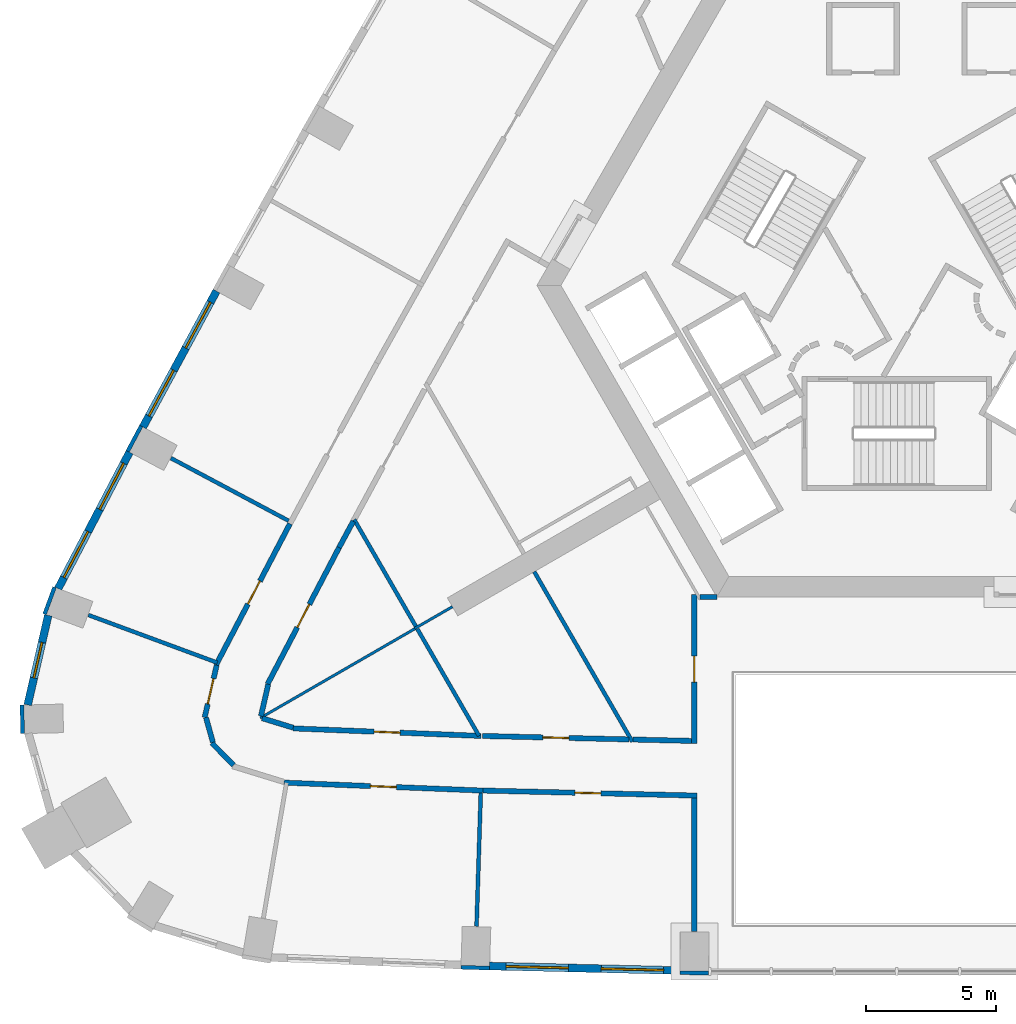
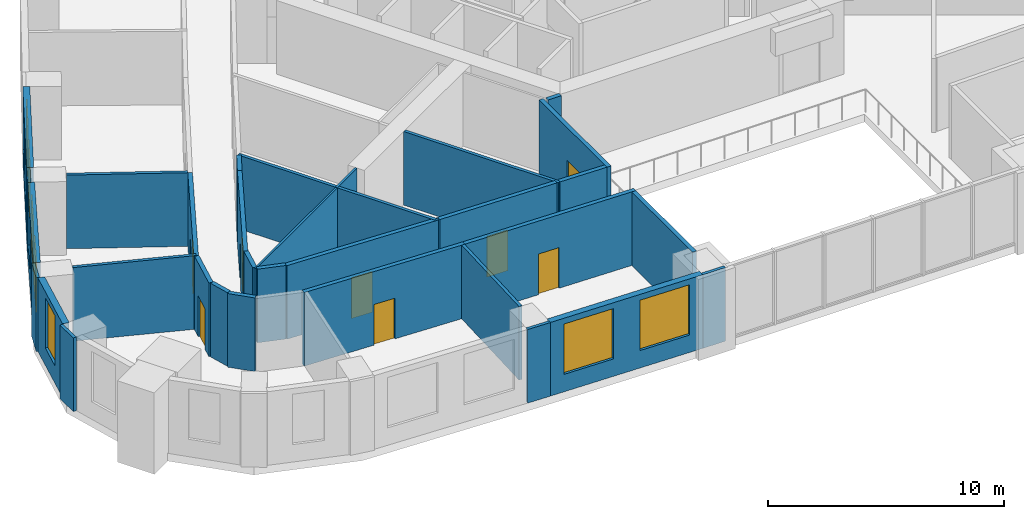
# One storey, part 4 of 12: 33 walls, 8 doors, 7 windows, 15 openings.
"""IFC4 building model written with IfcOpenShell, lengths in metres."""

from ifc_helpers import new_model, si_unit, direction, frame, frame_2d, origin, place, context, subcontext, project, spatial, rectangle, extrude, material, layer, layer_set, type_object, element, fill, save


model = new_model("IFC4")

# Units and contexts
model_context = context("Model", 3, precision=1e-05, world=origin(), true_north=direction((0.0, 1.0)))
body_context = subcontext(model_context, "Body", "Model", "MODEL_VIEW")
ifc_project = project(units=[si_unit("LENGTHUNIT", "METRE"), si_unit("AREAUNIT", "SQUARE_METRE"), si_unit("VOLUMEUNIT", "CUBIC_METRE"), si_unit("PLANEANGLEUNIT", "RADIAN"), si_unit("MASSUNIT", "GRAM", prefix="KILO")], contexts=[model_context])

# Site, building, storey
site_placement = place(None, origin())
site = spatial("IfcSite", under=ifc_project, at=site_placement, CompositionType="ELEMENT")
building_placement = place(site_placement, origin())
building = spatial("IfcBuilding", under=site, at=building_placement, Name="Entoto Arch Interchange Tower", CompositionType="ELEMENT")
storey_placement = place(building_placement, frame((0.0, 0.0, 142.39990234375)))
storey = spatial("IfcBuildingStorey", under=building, at=storey_placement, Name="L31", CompositionType="ELEMENT", Elevation=142.39990234375)

# Walls
ifc_material_1 = material(Name="Gypsum board partition on steel studs", Category="steel")
ifc_layer_1 = layer(ifc_material_1, 0.10009765625)
ifc_layer_set_1 = layer_set([ifc_layer_1], Name="Gypsum board partition on steel studs")
wall_type_1 = type_object("IfcWallType", Name="PARTITION 100", PredefinedType="PARTITIONING", material=ifc_layer_set_1)
wall_1_placement = place(storey_placement, frame((-17.10791015625, -9.868896484375, 0.0), z_axis=(0.0, 0.0, 1.0), x_axis=(-0.866054481515, -0.499949632511, 0.0)))
element("IfcWall", 1, at=wall_1_placement, inside=storey, type_object=wall_type_1, Name="wall:L31:p119", PredefinedType="PARTITIONING", context=body_context, shape_type="SweptSolid", body=[
    extrude(rectangle(XDim=1.674560546875, YDim=0.10009765625, at=frame_2d((0.83740234375, 0.0))), origin(), (0.0, 0.0, 1.0), 3.800048828125),
])
wall_2_placement = place(storey_placement, frame((-18.552978515625, -10.715087890625, 0.0), z_axis=(0.0, 0.0, 1.0), x_axis=(-0.865984622623, -0.500070628392, 0.0)))
element("IfcWall", 2, at=wall_2_placement, inside=storey, type_object=wall_type_1, Name="wall:L31:p122", PredefinedType="PARTITIONING", context=body_context, shape_type="SweptSolid", body=[
    extrude(rectangle(XDim=6.87890625, YDim=0.10009765625, at=frame_2d((3.439453125, 0.0))), origin(), (0.0, 0.0, 1.0), 3.800048828125),
])
ifc_layer_2 = layer(ifc_material_1, 0.14990234375)
ifc_layer_set_2 = layer_set([ifc_layer_2], Name="Gypsum board partition on steel studs")
wall_type_2 = type_object("IfcWallType", Name="PARTITION 150", PredefinedType="PARTITIONING", material=ifc_layer_set_2)
wall_3_placement = place(storey_placement, frame((-10.179931640625, -15.068115234375, 0.0), z_axis=(0.0, 0.0, 1.0), x_axis=(-0.499907901386, 0.866078570415, 0.0)))
element("IfcWall", 3, at=wall_3_placement, inside=storey, type_object=wall_type_2, Name="wall:L31:p118", PredefinedType="PARTITIONING", context=body_context, shape_type="SweptSolid", body=[
    extrude(rectangle(XDim=7.5595703125, YDim=0.14990234375, at=frame_2d((3.77978515625, 0.0))), origin(), (0.0, 0.0, 1.0), 3.800048828125),
])
wall_4_placement = place(storey_placement, frame((-18.51806640625, -10.625, 0.0), z_axis=(0.0, 0.0, 1.0), x_axis=(-0.50001189137, 0.86601853819, 0.0)))
element("IfcWall", 4, at=wall_4_placement, inside=storey, type_object=wall_type_2, Name="wall:L31:p120", PredefinedType="PARTITIONING", context=body_context, shape_type="SweptSolid", body=[
    extrude(rectangle(XDim=4.74609375, YDim=0.14990234375, at=frame_2d((2.373046875, 0.0))), origin(), (0.0, 0.0, 1.0), 3.800048828125),
])
wall_5_placement = place(storey_placement, frame((-16.083984375, -14.841064453125, 0.0), z_axis=(0.0, 0.0, 1.0), x_axis=(-0.50002451059, 0.866011252126, 0.0)))
element("IfcWall", 5, at=wall_5_placement, inside=storey, type_object=wall_type_2, Name="wall:L31:p121", PredefinedType="PARTITIONING", context=body_context, shape_type="SweptSolid", body=[
    extrude(rectangle(XDim=4.757568359375, YDim=0.14990234375, at=frame_2d((2.37890625, 0.0))), origin(), (0.0, 0.0, 1.0), 3.800048828125),
])
wall_6_placement = place(storey_placement, frame((-23.4169921875, -6.56005859375, 0.0), z_axis=(0.0, 0.0, 1.0), x_axis=(-0.882784638588, 0.469777906967, 0.0)))
element("IfcWall", 6, at=wall_6_placement, inside=storey, type_object=wall_type_2, Name="wall:L31:p136", PredefinedType="PARTITIONING", context=body_context, shape_type="SweptSolid", body=[
    extrude(rectangle(XDim=5.13037109375, YDim=0.14990234375, at=frame_2d((2.565185546875, 0.0))), origin(), (0.0, 0.0, 1.0), 3.800048828125),
])
wall_7_placement = place(storey_placement, frame((-26.1640625, -12.02294921875, 0.0), z_axis=(0.0, 0.0, 1.0), x_axis=(-0.937995804261, 0.346646608505, 0.0)))
element("IfcWall", 7, at=wall_7_placement, inside=storey, type_object=wall_type_2, Name="wall:L31:p137", PredefinedType="PARTITIONING", context=body_context, shape_type="SweptSolid", body=[
    extrude(rectangle(XDim=5.287841796875, YDim=0.14990234375, at=frame_2d((2.64404296875, 0.0))), origin(), (0.0, 0.0, 1.0), 3.800048828125),
])
wall_8_placement = place(storey_placement, frame((-16.01806640625, -17.044921875, 0.0), z_axis=(0.0, 0.0, 1.0), x_axis=(-0.031744385759, -0.999496019988, 0.0)))
element("IfcWall", 8, at=wall_8_placement, inside=storey, type_object=wall_type_2, Name="wall:L31:p139", PredefinedType="PARTITIONING", context=body_context, shape_type="SweptSolid", body=[
    extrude(rectangle(XDim=5.1298828125, YDim=0.14990234375, at=frame_2d((2.56494140625, 0.0))), origin(), (0.0, 0.0, 1.0), 3.800048828125),
])
ifc_layer_3 = layer(ifc_material_1, 0.199951171875)
ifc_layer_set_3 = layer_set([ifc_layer_3], Name="Gypsum board partition on steel studs")
wall_type_3 = type_object("IfcWallType", Name="PARTITION 200", PredefinedType="PARTITIONING", material=ifc_layer_set_3)
wall_9_placement = place(storey_placement, frame((-10.155029296875, -14.98291015625, 0.0), z_axis=(0.0, 0.0, 1.0), x_axis=(0.999724165956, -0.023485995887, 0.0)))
element("IfcWall", 9, at=wall_9_placement, inside=storey, type_object=wall_type_3, Name="wall:L31:p024", PredefinedType="PARTITIONING", context=body_context, shape_type="SweptSolid", body=[
    extrude(rectangle(XDim=2.255859375, YDim=0.199951171875, at=frame_2d((1.1279296875, 0.0))), origin(), (0.0, 0.0, 1.0), 3.800048828125),
])

# Wall, opening, door
wall_10_placement = place(storey_placement, frame((-15.947998046875, -14.845947265625, 0.0), z_axis=(0.0, 0.0, 1.0), x_axis=(0.999722136341, -0.023572231734, 0.0)))
wall_10 = element("IfcWall", 10, at=wall_10_placement, inside=storey, type_object=wall_type_3, Name="wall:L31:p026", PredefinedType="PARTITIONING", context=body_context, shape_type="SweptSolid", body=[
    extrude(rectangle(XDim=5.64453125, YDim=0.199951171875, at=frame_2d((2.822265625, 0.0))), origin(), (0.0, 0.0, 1.0), 3.800048828125),
])
opening_1_placement = place(wall_10_placement, frame((2.322021484375, 0.0, 0.0)))
opening_1 = element("IfcOpeningElement", 11, at=opening_1_placement, cuts=wall_10, Name="Opening L31-D27", PredefinedType="OPENING", context=body_context, shape_type="SweptSolid", body=[
    extrude(rectangle(XDim=1.0, YDim=2.10009765625, at=frame_2d((0.5, 1.050048828125))), frame((0.0, 0.10986328125, 0.0), z_axis=(0.0, -1.0, 0.0), x_axis=(1.0, 0.0, 0.0)), (0.0, 0.0, 1.0), 0.219970703125),
])
ifc_material_2 = material(Name="Timber door leaf in Steel S235 frame", Category="steel")
door_type = type_object("IfcDoorType", Name="DOOR DS-10 1000x2100", OperationType="SINGLE_SWING_LEFT", PredefinedType="DOOR", material=ifc_material_2)
door_1_placement = place(opening_1_placement, origin())
door_1 = element("IfcDoor", 12, at=door_1_placement, inside=storey, type_object=door_type, Name="door:L31:27", OperationType="SINGLE_SWING_LEFT", OverallHeight=2.10009765625, OverallWidth=1.0, PredefinedType="DOOR", context=body_context, shape_type="SweptSolid", body=[
    extrude(rectangle(XDim=1.0, YDim=2.10009765625, at=frame_2d((0.5, 1.050048828125))), frame((0.0, 0.02490234375, 0.0), z_axis=(0.0, -1.0, 0.0), x_axis=(1.0, 0.0, 0.0)), (0.0, 0.0, 1.0), 0.050048828125),
])
fill(opening_1, door_1)

wall_11_placement = place(storey_placement, frame((-21.47509765625, -7.593994140625, 0.0), z_axis=(0.0, 0.0, 1.0), x_axis=(-0.463809970306, -0.885934710599, 0.0)))
wall_11 = element("IfcWall", 13, at=wall_11_placement, inside=storey, type_object=wall_type_3, Name="wall:L31:p027", PredefinedType="PARTITIONING", context=body_context, shape_type="SweptSolid", body=[
    extrude(rectangle(XDim=5.927001953125, YDim=0.199951171875, at=frame_2d((2.96337890625, 0.0))), origin(), (0.0, 0.0, 1.0), 3.800048828125),
])
opening_2_placement = place(wall_11_placement, frame((2.464111328125, 0.0, 0.0)))
opening_2 = element("IfcOpeningElement", 14, at=opening_2_placement, cuts=wall_11, Name="Opening L31-D28", PredefinedType="OPENING", context=body_context, shape_type="SweptSolid", body=[
    extrude(rectangle(XDim=1.0, YDim=2.10009765625, at=frame_2d((0.5, 1.050048828125))), frame((0.0, 0.10986328125, 0.0), z_axis=(0.0, -1.0, 0.0), x_axis=(1.0, 0.0, 0.0)), (0.0, 0.0, 1.0), 0.219970703125),
])
door_2_placement = place(opening_2_placement, origin())
door_2 = element("IfcDoor", 15, at=door_2_placement, inside=storey, type_object=door_type, Name="door:L31:28", OperationType="SINGLE_SWING_LEFT", OverallHeight=2.10009765625, OverallWidth=1.0, PredefinedType="DOOR", context=body_context, shape_type="SweptSolid", body=[
    extrude(rectangle(XDim=1.0, YDim=2.10009765625, at=frame_2d((0.5, 1.050048828125))), frame((0.0, 0.02490234375, 0.0), z_axis=(0.0, -1.0, 0.0), x_axis=(1.0, 0.0, 0.0)), (0.0, 0.0, 1.0), 0.050048828125),
])
fill(opening_2, door_2)

# Walls
wall_12_placement = place(storey_placement, frame((-24.199951171875, -12.85400390625, 0.0), z_axis=(0.0, 0.0, 1.0), x_axis=(-0.223967203961, -0.974596681479, 0.0)))
element("IfcWall", 16, at=wall_12_placement, inside=storey, type_object=wall_type_3, Name="wall:L31:p028", PredefinedType="PARTITIONING", context=body_context, shape_type="SweptSolid", body=[
    extrude(rectangle(XDim=1.259033203125, YDim=0.199951171875, at=frame_2d((0.62939453125, 0.0))), origin(), (0.0, 0.0, 1.0), 3.800048828125),
])
wall_13_placement = place(storey_placement, frame((-20.927001953125, -6.5810546875, 0.0), z_axis=(0.0, 0.0, 1.0), x_axis=(-0.475893856394, -0.879502721682, 0.0)))
element("IfcWall", 17, at=wall_13_placement, inside=storey, type_object=wall_type_3, Name="wall:L31:p029", PredefinedType="PARTITIONING", context=body_context, shape_type="SweptSolid", body=[
    extrude(rectangle(XDim=1.151611328125, YDim=0.199951171875, at=frame_2d((0.57568359375, 0.0))), origin(), (0.0, 0.0, 1.0), 3.800048828125),
])
wall_14_placement = place(storey_placement, frame((-24.43505859375, -14.162109375, 0.0), z_axis=(0.0, 0.0, 1.0), x_axis=(0.956086269468, -0.293085389152, 0.0)))
element("IfcWall", 18, at=wall_14_placement, inside=storey, type_object=wall_type_3, Name="wall:L31:p030", PredefinedType="PARTITIONING", context=body_context, shape_type="SweptSolid", body=[
    extrude(rectangle(XDim=1.251953125, YDim=0.199951171875, at=frame_2d((0.6259765625, 0.0))), origin(), (0.0, 0.0, 1.0), 3.800048828125),
])

# Wall, opening, door
wall_15_placement = place(storey_placement, frame((-23.241943359375, -14.554931640625, 0.0), z_axis=(0.0, 0.0, 1.0), x_axis=(0.999202143743, -0.039938401802, 0.0)))
wall_15 = element("IfcWall", 19, at=wall_15_placement, inside=storey, type_object=wall_type_3, Name="wall:L31:p031", PredefinedType="PARTITIONING", context=body_context, shape_type="SweptSolid", body=[
    extrude(rectangle(XDim=7.23779296875, YDim=0.199951171875, at=frame_2d((3.618896484375, 0.0))), origin(), (0.0, 0.0, 1.0), 3.800048828125),
])
opening_3_placement = place(wall_15_placement, frame((3.118896484375, 0.0, 0.0)))
opening_3 = element("IfcOpeningElement", 20, at=opening_3_placement, cuts=wall_15, Name="Opening L31-D29", PredefinedType="OPENING", context=body_context, shape_type="SweptSolid", body=[
    extrude(rectangle(XDim=1.0, YDim=2.10009765625, at=frame_2d((0.5, 1.050048828125))), frame((0.0, 0.10986328125, 0.0), z_axis=(0.0, -1.0, 0.0), x_axis=(1.0, 0.0, 0.0)), (0.0, 0.0, 1.0), 0.219970703125),
])
door_3_placement = place(opening_3_placement, origin())
door_3 = element("IfcDoor", 21, at=door_3_placement, inside=storey, type_object=door_type, Name="door:L31:29", OperationType="SINGLE_SWING_LEFT", OverallHeight=2.10009765625, OverallWidth=1.0, PredefinedType="DOOR", context=body_context, shape_type="SweptSolid", body=[
    extrude(rectangle(XDim=1.0, YDim=2.10009765625, at=frame_2d((0.5, 1.050048828125))), frame((0.0, 0.02490234375, 0.0), z_axis=(0.0, -1.0, 0.0), x_axis=(1.0, 0.0, 0.0)), (0.0, 0.0, 1.0), 0.050048828125),
])
fill(opening_3, door_3)

wall_16_placement = place(storey_placement, frame((-26.2099609375, -12.111083984375, 0.0), z_axis=(0.0, 0.0, 1.0), x_axis=(0.46374980173, 0.885966207818, 0.0)))
wall_16 = element("IfcWall", 22, at=wall_16_placement, inside=storey, type_object=wall_type_3, Name="wall:L31:p059", PredefinedType="PARTITIONING", context=body_context, shape_type="SweptSolid", body=[
    extrude(rectangle(XDim=6.13671875, YDim=0.199951171875, at=frame_2d((3.068359375, 0.0))), origin(), (0.0, 0.0, 1.0), 3.800048828125),
])
opening_4_placement = place(wall_16_placement, frame((2.64404296875, 0.0, 0.0)))
opening_4 = element("IfcOpeningElement", 23, at=opening_4_placement, cuts=wall_16, Name="Opening L31-D15", PredefinedType="OPENING", context=body_context, shape_type="SweptSolid", body=[
    extrude(rectangle(XDim=1.0, YDim=2.10009765625, at=frame_2d((0.5, 1.050048828125))), frame((0.0, 0.10986328125, 0.0), z_axis=(0.0, -1.0, 0.0), x_axis=(1.0, 0.0, 0.0)), (0.0, 0.0, 1.0), 0.219970703125),
])
door_4_placement = place(opening_4_placement, origin())
door_4 = element("IfcDoor", 24, at=door_4_placement, inside=storey, type_object=door_type, Name="door:L31:15", OperationType="SINGLE_SWING_LEFT", OverallHeight=2.10009765625, OverallWidth=1.0, PredefinedType="DOOR", context=body_context, shape_type="SweptSolid", body=[
    extrude(rectangle(XDim=1.0, YDim=2.10009765625, at=frame_2d((0.5, 1.050048828125))), frame((0.0, 0.02490234375, 0.0), z_axis=(0.0, -1.0, 0.0), x_axis=(1.0, 0.0, 0.0)), (0.0, 0.0, 1.0), 0.050048828125),
])
fill(opening_4, door_4)

# Walls
wall_17_placement = place(storey_placement, frame((-25.5380859375, -15.969970703125, 0.0), z_axis=(0.0, 0.0, 1.0), x_axis=(-0.698272822523, 0.715831729756, 0.0)))
element("IfcWall", 25, at=wall_17_placement, inside=storey, type_object=wall_type_3, Name="wall:L31:p061", PredefinedType="PARTITIONING", context=body_context, shape_type="SweptSolid", body=[
    extrude(rectangle(XDim=1.19580078125, YDim=0.199951171875, at=frame_2d((0.597900390625, 0.0))), origin(), (0.0, 0.0, 1.0), 3.800048828125),
])
wall_18_placement = place(storey_placement, frame((-26.330078125, -15.089111328125, 0.0), z_axis=(0.0, 0.0, 1.0), x_axis=(-0.270631784819, 0.962682936925, 0.0)))
element("IfcWall", 26, at=wall_18_placement, inside=storey, type_object=wall_type_3, Name="wall:L31:p062", PredefinedType="PARTITIONING", context=body_context, shape_type="SweptSolid", body=[
    extrude(rectangle(XDim=0.994140625, YDim=0.199951171875, at=frame_2d((0.4970703125, 0.0))), origin(), (0.0, 0.0, 1.0), 3.800048828125),
])

# Wall, opening, door
wall_19_placement = place(storey_placement, frame((-26.64892578125, -14.133056640625, 0.0), z_axis=(0.0, 0.0, 1.0), x_axis=(0.224108401048, 0.974564222912, 0.0)))
wall_19 = element("IfcWall", 27, at=wall_19_placement, inside=storey, type_object=wall_type_3, Name="wall:L31:p063", PredefinedType="PARTITIONING", context=body_context, shape_type="SweptSolid", body=[
    extrude(rectangle(XDim=2.0654296875, YDim=0.199951171875, at=frame_2d((1.03271484375, 0.0))), origin(), (0.0, 0.0, 1.0), 3.800048828125),
])
opening_5_placement = place(wall_19_placement, frame((0.532958984375, 0.0, 0.0)))
opening_5 = element("IfcOpeningElement", 28, at=opening_5_placement, cuts=wall_19, Name="Opening L31-D16", PredefinedType="OPENING", context=body_context, shape_type="SweptSolid", body=[
    extrude(rectangle(XDim=1.0, YDim=2.10009765625, at=frame_2d((0.5, 1.050048828125))), frame((0.0, 0.10986328125, 0.0), z_axis=(0.0, -1.0, 0.0), x_axis=(1.0, 0.0, 0.0)), (0.0, 0.0, 1.0), 0.219970703125),
])
door_5_placement = place(opening_5_placement, origin())
door_5 = element("IfcDoor", 29, at=door_5_placement, inside=storey, type_object=door_type, Name="door:L31:16", OperationType="SINGLE_SWING_LEFT", OverallHeight=2.10009765625, OverallWidth=1.0, PredefinedType="DOOR", context=body_context, shape_type="SweptSolid", body=[
    extrude(rectangle(XDim=1.0, YDim=2.10009765625, at=frame_2d((0.5, 1.050048828125))), frame((0.0, 0.02490234375, 0.0), z_axis=(0.0, -1.0, 0.0), x_axis=(1.0, 0.0, 0.0)), (0.0, 0.0, 1.0), 0.050048828125),
])
fill(opening_5, door_5)

wall_20_placement = place(storey_placement, frame((-15.93994140625, -16.947998046875, 0.0), z_axis=(0.0, 0.0, 1.0), x_axis=(-0.999203094545, 0.03991460699, 0.0)))
wall_20 = element("IfcWall", 30, at=wall_20_placement, inside=storey, type_object=wall_type_3, Name="wall:L31:p064", PredefinedType="PARTITIONING", context=body_context, shape_type="SweptSolid", body=[
    extrude(rectangle(XDim=7.6640625, YDim=0.199951171875, at=frame_2d((3.83203125, 0.0))), origin(), (0.0, 0.0, 1.0), 3.800048828125),
])
opening_6_placement = place(wall_20_placement, frame((3.33203125, 0.0, 0.0)))
opening_6 = element("IfcOpeningElement", 31, at=opening_6_placement, cuts=wall_20, Name="Opening L31-D17", PredefinedType="OPENING", context=body_context, shape_type="SweptSolid", body=[
    extrude(rectangle(XDim=1.0, YDim=2.10009765625, at=frame_2d((0.5, 1.050048828125))), frame((0.0, 0.10986328125, 0.0), z_axis=(0.0, -1.0, 0.0), x_axis=(1.0, 0.0, 0.0)), (0.0, 0.0, 1.0), 0.219970703125),
])
door_6_placement = place(opening_6_placement, origin())
door_6 = element("IfcDoor", 32, at=door_6_placement, inside=storey, type_object=door_type, Name="door:L31:17", OperationType="SINGLE_SWING_LEFT", OverallHeight=2.10009765625, OverallWidth=1.0, PredefinedType="DOOR", context=body_context, shape_type="SweptSolid", body=[
    extrude(rectangle(XDim=1.0, YDim=2.10009765625, at=frame_2d((0.5, 1.050048828125))), frame((0.0, 0.02490234375, 0.0), z_axis=(0.0, -1.0, 0.0), x_axis=(1.0, 0.0, 0.0)), (0.0, 0.0, 1.0), 0.050048828125),
])
fill(opening_6, door_6)

wall_21_placement = place(storey_placement, frame((-7.699951171875, -17.14111328125, 0.0), z_axis=(0.0, 0.0, 1.0), x_axis=(-0.999722699727, 0.023548325865, 0.0)))
wall_21 = element("IfcWall", 33, at=wall_21_placement, inside=storey, type_object=wall_type_3, Name="wall:L31:p065", PredefinedType="PARTITIONING", context=body_context, shape_type="SweptSolid", body=[
    extrude(rectangle(XDim=8.2421875, YDim=0.199951171875, at=frame_2d((4.12109375, 0.0))), origin(), (0.0, 0.0, 1.0), 3.800048828125),
])
opening_7_placement = place(wall_21_placement, frame((3.696044921875, 0.0, 0.0)))
opening_7 = element("IfcOpeningElement", 34, at=opening_7_placement, cuts=wall_21, Name="Opening L31-D18", PredefinedType="OPENING", context=body_context, shape_type="SweptSolid", body=[
    extrude(rectangle(XDim=1.0, YDim=2.10009765625, at=frame_2d((0.5, 1.050048828125))), frame((0.0, 0.10986328125, 0.0), z_axis=(0.0, -1.0, 0.0), x_axis=(1.0, 0.0, 0.0)), (0.0, 0.0, 1.0), 0.219970703125),
])
door_7_placement = place(opening_7_placement, origin())
door_7 = element("IfcDoor", 35, at=door_7_placement, inside=storey, type_object=door_type, Name="door:L31:18", OperationType="SINGLE_SWING_RIGHT", OverallHeight=2.10009765625, OverallWidth=1.0, PredefinedType="DOOR", context=body_context, shape_type="SweptSolid", body=[
    extrude(rectangle(XDim=1.0, YDim=2.10009765625, at=frame_2d((0.5, 1.050048828125))), frame((0.0, 0.02490234375, 0.0), z_axis=(0.0, -1.0, 0.0), x_axis=(1.0, 0.0, 0.0)), (0.0, 0.0, 1.0), 0.050048828125),
])
fill(opening_7, door_7)

# Wall
wall_22_placement = place(storey_placement, frame((-7.572021484375, -9.4990234375, 0.0), z_axis=(0.0, 0.0, 1.0), x_axis=(1.0, 0.0, 0.0)))
element("IfcWall", 36, at=wall_22_placement, inside=storey, type_object=wall_type_3, Name="wall:L31:p103", PredefinedType="PARTITIONING", context=body_context, shape_type="SweptSolid", body=[
    extrude(rectangle(XDim=0.64306640625, YDim=0.199951171875, at=frame_2d((0.321533203125, 0.0))), origin(), (0.0, 0.0, 1.0), 3.800048828125),
])

# Wall, opening, door
wall_23_placement = place(storey_placement, frame((-7.800048828125, -15.138916015625, 0.0), z_axis=(0.0, 0.0, 1.0), x_axis=(0.0, 1.0, 0.0)))
wall_23 = element("IfcWall", 37, at=wall_23_placement, inside=storey, type_object=wall_type_3, Name="wall:L31:p104", PredefinedType="PARTITIONING", context=body_context, shape_type="SweptSolid", body=[
    extrude(rectangle(XDim=5.739990234375, YDim=0.199951171875, at=frame_2d((2.8701171875, 0.0))), origin(), (0.0, 0.0, 1.0), 3.800048828125),
])
opening_8_placement = place(wall_23_placement, frame((2.3701171875, 0.0, 0.0)))
opening_8 = element("IfcOpeningElement", 38, at=opening_8_placement, cuts=wall_23, Name="Opening L31-D25", PredefinedType="OPENING", context=body_context, shape_type="SweptSolid", body=[
    extrude(rectangle(XDim=1.0, YDim=2.10009765625, at=frame_2d((0.5, 1.050048828125))), frame((0.0, 0.10986328125, 0.0), z_axis=(0.0, -1.0, 0.0), x_axis=(1.0, 0.0, 0.0)), (0.0, 0.0, 1.0), 0.219970703125),
])
door_8_placement = place(opening_8_placement, origin())
door_8 = element("IfcDoor", 39, at=door_8_placement, inside=storey, type_object=door_type, Name="door:L31:25", OperationType="SINGLE_SWING_LEFT", OverallHeight=2.10009765625, OverallWidth=1.0, PredefinedType="DOOR", context=body_context, shape_type="SweptSolid", body=[
    extrude(rectangle(XDim=1.0, YDim=2.10009765625, at=frame_2d((0.5, 1.050048828125))), frame((0.0, 0.02490234375, 0.0), z_axis=(0.0, -1.0, 0.0), x_axis=(1.0, 0.0, 0.0)), (0.0, 0.0, 1.0), 0.050048828125),
])
fill(opening_8, door_8)

# Wall
wall_24_placement = place(storey_placement, frame((-7.800048828125, -22.37109375, 0.0), z_axis=(0.0, 0.0, 1.0), x_axis=(0.0, 1.0, 0.0)))
element("IfcWall", 40, at=wall_24_placement, inside=storey, type_object=wall_type_3, Name="wall:L31:p106", PredefinedType="PARTITIONING", context=body_context, shape_type="SweptSolid", body=[
    extrude(rectangle(XDim=5.132080078125, YDim=0.199951171875, at=frame_2d((2.56591796875, 0.0))), origin(), (0.0, 0.0, 1.0), 3.800048828125),
])

# Wall, openings, windows
ifc_material_3 = material(Name="Welded tuff (ignimbrite) cladding, warm buff", Category="masonry")
ifc_layer_4 = layer(ifc_material_3, 0.300048828125)
ifc_layer_set_4 = layer_set([ifc_layer_4], Name="Welded tuff (ignimbrite) cladding, warm buff")
wall_type_4 = type_object("IfcWallType", Name="STONE INFILL WALL 300", PredefinedType="STANDARD", material=ifc_layer_set_4)
wall_25_placement = place(storey_placement, frame((-15.679931640625, -23.705078125, 0.0), z_axis=(0.0, 0.0, 1.0), x_axis=(0.999722302867, -0.023565168146, 0.0)))
wall_25 = element("IfcWall", 41, at=wall_25_placement, inside=storey, type_object=wall_type_4, Name="Facade wall S-02 L31", PredefinedType="STANDARD", context=body_context, shape_type="SweptSolid", body=[
    extrude(rectangle(XDim=7.3349609375, YDim=0.300048828125, at=frame_2d((3.66748046875, 0.0))), origin(), (0.0, 0.0, 1.0), 3.800048828125),
])
opening_9_placement = place(wall_25_placement, frame((0.634033203125, 0.0, 0.89990234375)))
opening_9 = element("IfcOpeningElement", 42, at=opening_9_placement, cuts=wall_25, Name="Opening WO-A", PredefinedType="OPENING", context=body_context, shape_type="SweptSolid", body=[
    extrude(rectangle(XDim=2.39990234375, YDim=2.60009765625, at=frame_2d((1.199951171875, 1.300048828125))), frame((0.0, 0.16015625, 0.0), z_axis=(0.0, -1.0, 0.0), x_axis=(1.0, 0.0, 0.0)), (0.0, 0.0, 1.0), 0.320068359375),
])
opening_10_placement = place(wall_25_placement, frame((4.301025390625, 0.0, 0.89990234375)))
opening_10 = element("IfcOpeningElement", 43, at=opening_10_placement, cuts=wall_25, Name="Opening WO-A", PredefinedType="OPENING", context=body_context, shape_type="SweptSolid", body=[
    extrude(rectangle(XDim=2.39990234375, YDim=2.60009765625, at=frame_2d((1.199951171875, 1.300048828125))), frame((0.0, 0.16015625, 0.0), z_axis=(0.0, -1.0, 0.0), x_axis=(1.0, 0.0, 0.0)), (0.0, 0.0, 1.0), 0.320068359375),
])
ifc_material_4 = material(Name="Clear glass, low-e double glazed", Category="glass")
window_type_1 = type_object("IfcWindowType", Name="WINDOW WO-A 2400x2600", PartitioningType="DOUBLE_PANEL_VERTICAL", PredefinedType="WINDOW", material=ifc_material_4)
window_1_placement = place(opening_9_placement, origin())
window_1 = element("IfcWindow", 44, at=window_1_placement, inside=storey, type_object=window_type_1, Name="Window WO-A S-02 L31", OverallHeight=2.60009765625, OverallWidth=2.39990234375, PartitioningType="SINGLE_PANEL", PredefinedType="WINDOW", context=body_context, shape_type="SweptSolid", body=[
    extrude(rectangle(XDim=2.39990234375, YDim=2.60009765625, at=frame_2d((1.199951171875, 1.300048828125))), frame((0.0, 0.030029296875, 0.0), z_axis=(0.0, -1.0, 0.0), x_axis=(1.0, 0.0, 0.0)), (0.0, 0.0, 1.0), 0.06005859375),
])
fill(opening_9, window_1)
window_2_placement = place(opening_10_placement, origin())
window_2 = element("IfcWindow", 45, at=window_2_placement, inside=storey, type_object=window_type_1, Name="Window WO-A S-02 L31", OverallHeight=2.60009765625, OverallWidth=2.39990234375, PartitioningType="SINGLE_PANEL", PredefinedType="WINDOW", context=body_context, shape_type="SweptSolid", body=[
    extrude(rectangle(XDim=2.39990234375, YDim=2.60009765625, at=frame_2d((1.199951171875, 1.300048828125))), frame((0.0, 0.030029296875, 0.0), z_axis=(0.0, -1.0, 0.0), x_axis=(1.0, 0.0, 0.0)), (0.0, 0.0, 1.0), 0.06005859375),
])
fill(opening_10, window_2)

wall_26_placement = place(storey_placement, frame((-26.194091796875, 2.281982421875, 0.0), z_axis=(0.0, 0.0, 1.0), x_axis=(-0.475794135288, -0.87955667289, 0.0)))
wall_26 = element("IfcWall", 46, at=wall_26_placement, inside=storey, type_object=wall_type_4, Name="Facade wall NW-06 L31", PredefinedType="STANDARD", context=body_context, shape_type="SweptSolid", body=[
    extrude(rectangle(XDim=5.95166015625, YDim=0.300048828125, at=frame_2d((2.975830078125, 0.0))), origin(), (0.0, 0.0, 1.0), 3.800048828125),
])
opening_11_placement = place(wall_26_placement, frame((0.488037109375, 0.0, 0.89990234375)))
opening_11 = element("IfcOpeningElement", 47, at=opening_11_placement, cuts=wall_26, Name="Opening WO-C", PredefinedType="OPENING", context=body_context, shape_type="SweptSolid", body=[
    extrude(rectangle(XDim=2.0, YDim=2.60009765625, at=frame_2d((1.0, 1.300048828125))), frame((0.0, 0.16015625, 0.0), z_axis=(0.0, -1.0, 0.0), x_axis=(1.0, 0.0, 0.0)), (0.0, 0.0, 1.0), 0.320068359375),
])
opening_12_placement = place(wall_26_placement, frame((3.464111328125, 0.0, 0.89990234375)))
opening_12 = element("IfcOpeningElement", 48, at=opening_12_placement, cuts=wall_26, Name="Opening WO-C", PredefinedType="OPENING", context=body_context, shape_type="SweptSolid", body=[
    extrude(rectangle(XDim=2.0, YDim=2.60009765625, at=frame_2d((1.0, 1.300048828125))), frame((0.0, 0.16015625, 0.0), z_axis=(0.0, -1.0, 0.0), x_axis=(1.0, 0.0, 0.0)), (0.0, 0.0, 1.0), 0.320068359375),
])
window_type_2 = type_object("IfcWindowType", Name="WINDOW WO-C 2000x2600", PartitioningType="DOUBLE_PANEL_VERTICAL", PredefinedType="WINDOW", material=ifc_material_4)
window_3_placement = place(opening_11_placement, origin())
window_3 = element("IfcWindow", 49, at=window_3_placement, inside=storey, type_object=window_type_2, Name="Window WO-C NW-06 L31", OverallHeight=2.60009765625, OverallWidth=2.0, PartitioningType="SINGLE_PANEL", PredefinedType="WINDOW", context=body_context, shape_type="SweptSolid", body=[
    extrude(rectangle(XDim=2.0, YDim=2.60009765625, at=frame_2d((1.0, 1.300048828125))), frame((0.0, 0.030029296875, 0.0), z_axis=(0.0, -1.0, 0.0), x_axis=(1.0, 0.0, 0.0)), (0.0, 0.0, 1.0), 0.06005859375),
])
fill(opening_11, window_3)
window_4_placement = place(opening_12_placement, origin())
window_4 = element("IfcWindow", 50, at=window_4_placement, inside=storey, type_object=window_type_2, Name="Window WO-C NW-06 L31", OverallHeight=2.60009765625, OverallWidth=2.0, PartitioningType="SINGLE_PANEL", PredefinedType="WINDOW", context=body_context, shape_type="SweptSolid", body=[
    extrude(rectangle(XDim=2.0, YDim=2.60009765625, at=frame_2d((1.0, 1.300048828125))), frame((0.0, 0.030029296875, 0.0), z_axis=(0.0, -1.0, 0.0), x_axis=(1.0, 0.0, 0.0)), (0.0, 0.0, 1.0), 0.06005859375),
])
fill(opening_12, window_4)

wall_27_placement = place(storey_placement, frame((-29.5419921875, -3.922119140625, 0.0), z_axis=(0.0, 0.0, 1.0), x_axis=(-0.463809970306, -0.885934710599, 0.0)))
wall_27 = element("IfcWall", 51, at=wall_27_placement, inside=storey, type_object=wall_type_4, Name="Facade wall NW-07 L31", PredefinedType="STANDARD", context=body_context, shape_type="SweptSolid", body=[
    extrude(rectangle(XDim=5.927001953125, YDim=0.300048828125, at=frame_2d((2.96337890625, 0.0))), origin(), (0.0, 0.0, 1.0), 3.800048828125),
])
opening_13_placement = place(wall_27_placement, frame((0.48193359375, 0.0, 0.89990234375)))
opening_13 = element("IfcOpeningElement", 52, at=opening_13_placement, cuts=wall_27, Name="Opening WO-C", PredefinedType="OPENING", context=body_context, shape_type="SweptSolid", body=[
    extrude(rectangle(XDim=2.0, YDim=2.60009765625, at=frame_2d((1.0, 1.300048828125))), frame((0.0, 0.16015625, 0.0), z_axis=(0.0, -1.0, 0.0), x_axis=(1.0, 0.0, 0.0)), (0.0, 0.0, 1.0), 0.320068359375),
])
opening_14_placement = place(wall_27_placement, frame((3.445068359375, 0.0, 0.89990234375)))
opening_14 = element("IfcOpeningElement", 53, at=opening_14_placement, cuts=wall_27, Name="Opening WO-C", PredefinedType="OPENING", context=body_context, shape_type="SweptSolid", body=[
    extrude(rectangle(XDim=2.0, YDim=2.60009765625, at=frame_2d((1.0, 1.300048828125))), frame((0.0, 0.16015625, 0.0), z_axis=(0.0, -1.0, 0.0), x_axis=(1.0, 0.0, 0.0)), (0.0, 0.0, 1.0), 0.320068359375),
])
window_5_placement = place(opening_13_placement, origin())
window_5 = element("IfcWindow", 54, at=window_5_placement, inside=storey, type_object=window_type_2, Name="Window WO-C NW-07 L31", OverallHeight=2.60009765625, OverallWidth=2.0, PartitioningType="SINGLE_PANEL", PredefinedType="WINDOW", context=body_context, shape_type="SweptSolid", body=[
    extrude(rectangle(XDim=2.0, YDim=2.60009765625, at=frame_2d((1.0, 1.300048828125))), frame((0.0, 0.030029296875, 0.0), z_axis=(0.0, -1.0, 0.0), x_axis=(1.0, 0.0, 0.0)), (0.0, 0.0, 1.0), 0.06005859375),
])
fill(opening_13, window_5)
window_6_placement = place(opening_14_placement, origin())
window_6 = element("IfcWindow", 55, at=window_6_placement, inside=storey, type_object=window_type_2, Name="Window WO-C NW-07 L31", OverallHeight=2.60009765625, OverallWidth=2.0, PartitioningType="SINGLE_PANEL", PredefinedType="WINDOW", context=body_context, shape_type="SweptSolid", body=[
    extrude(rectangle(XDim=2.0, YDim=2.60009765625, at=frame_2d((1.0, 1.300048828125))), frame((0.0, 0.030029296875, 0.0), z_axis=(0.0, -1.0, 0.0), x_axis=(1.0, 0.0, 0.0)), (0.0, 0.0, 1.0), 0.06005859375),
])
fill(opening_14, window_6)

# Wall, opening, window
wall_28_placement = place(storey_placement, frame((-32.672119140625, -10.202880859375, 0.0), z_axis=(0.0, 0.0, 1.0), x_axis=(-0.223538714932, -0.974695051247, 0.0)))
wall_28 = element("IfcWall", 56, at=wall_28_placement, inside=storey, type_object=wall_type_4, Name="Facade wall SW-01 L31", PredefinedType="STANDARD", context=body_context, shape_type="SweptSolid", body=[
    extrude(rectangle(XDim=3.53759765625, YDim=0.300048828125, at=frame_2d((1.768798828125, 0.0))), origin(), (0.0, 0.0, 1.0), 3.800048828125),
])
opening_15_placement = place(wall_28_placement, frame((1.069091796875, 0.0, 0.89990234375)))
opening_15 = element("IfcOpeningElement", 57, at=opening_15_placement, cuts=wall_28, Name="Opening WO-B", PredefinedType="OPENING", context=body_context, shape_type="SweptSolid", body=[
    extrude(rectangle(XDim=1.39990234375, YDim=2.60009765625, at=frame_2d((0.699951171875, 1.300048828125))), frame((0.0, 0.16015625, 0.0), z_axis=(0.0, -1.0, 0.0), x_axis=(1.0, 0.0, 0.0)), (0.0, 0.0, 1.0), 0.320068359375),
])
window_type_3 = type_object("IfcWindowType", Name="WINDOW WO-B 1400x2600", PartitioningType="DOUBLE_PANEL_VERTICAL", PredefinedType="WINDOW", material=ifc_material_4)
window_7_placement = place(opening_15_placement, origin())
window_7 = element("IfcWindow", 58, at=window_7_placement, inside=storey, type_object=window_type_3, Name="Window WO-B SW-01 L31", OverallHeight=2.60009765625, OverallWidth=1.39990234375, PartitioningType="SINGLE_PANEL", PredefinedType="WINDOW", context=body_context, shape_type="SweptSolid", body=[
    extrude(rectangle(XDim=1.39990234375, YDim=2.60009765625, at=frame_2d((0.699951171875, 1.300048828125))), frame((0.0, 0.030029296875, 0.0), z_axis=(0.0, -1.0, 0.0), x_axis=(1.0, 0.0, 0.0)), (0.0, 0.0, 1.0), 0.06005859375),
])
fill(opening_15, window_7)

# Walls
ifc_layer_5 = layer(ifc_material_3, 0.14990234375)
ifc_layer_set_5 = layer_set([ifc_layer_5], Name="Welded tuff (ignimbrite) cladding, warm buff")
wall_type_5 = type_object("IfcWallType", Name="STONE PIER CLADDING 150", PredefinedType="STANDARD", material=ifc_layer_set_5)
for number, where, z_axis, x_axis, name in (
    (59, (-29.094970703125, -2.9150390625, 0.0), (0.0, 0.0, 1.0), (-0.470058271093, -0.88263538439, 0.0), "Stone pier NW07 L31"),
    (60, (-32.428955078125, -9.12109375, 0.0), (0.0, 0.0, 1.0), (-0.346425160624, -0.93807761304, 0.0), "Stone pier NW08 L31"),
):
    element("IfcWall", number, at=place(storey_placement, frame(where, z_axis=z_axis, x_axis=x_axis)), inside=storey, type_object=wall_type_5, Name=name, PredefinedType="STANDARD", context=body_context, shape_type="SweptSolid", body=[
        extrude(rectangle(XDim=1.10009765625, YDim=0.14990234375, at=frame_2d((0.550048828125, 0.0))), origin(), (0.0, 0.0, 1.0), 3.800048828125),
    ])
wall_29_placement = place(storey_placement, frame((-16.781005859375, -23.75, 0.0), z_axis=(0.0, 0.0, 1.0), x_axis=(0.999523702549, -0.030860460829, 0.0)))
element("IfcWall", 61, at=wall_29_placement, inside=storey, type_object=wall_type_5, Name="Stone pier S02 L31", PredefinedType="STANDARD", context=body_context, shape_type="SweptSolid", body=[
    extrude(rectangle(XDim=1.099609375, YDim=0.14990234375, at=frame_2d((0.5498046875, 0.0))), origin(), (0.0, 0.0, 1.0), 3.800048828125),
])
for number, where, z_axis, x_axis, name in (
    (62, (-8.34912109375, -23.9599609375, 0.0), (0.0, 0.0, 1.0), (0.999940879068, -0.010873746799, 0.0), "Stone pier S03 L31"),
    (63, (-33.68310546875, -13.655029296875, 0.0), (0.0, 0.0, 1.0), (0.023744690764, -0.999718055084, 0.0), "Stone pier SW1 L31"),
):
    element("IfcWall", number, at=place(storey_placement, frame(where, z_axis=z_axis, x_axis=x_axis)), inside=storey, type_object=wall_type_5, Name=name, PredefinedType="STANDARD", context=body_context, shape_type="SweptSolid", body=[
        extrude(rectangle(XDim=1.10009765625, YDim=0.14990234375, at=frame_2d((0.550048828125, 0.0))), origin(), (0.0, 0.0, 1.0), 3.800048828125),
    ])

save(model, "model.ifc")
